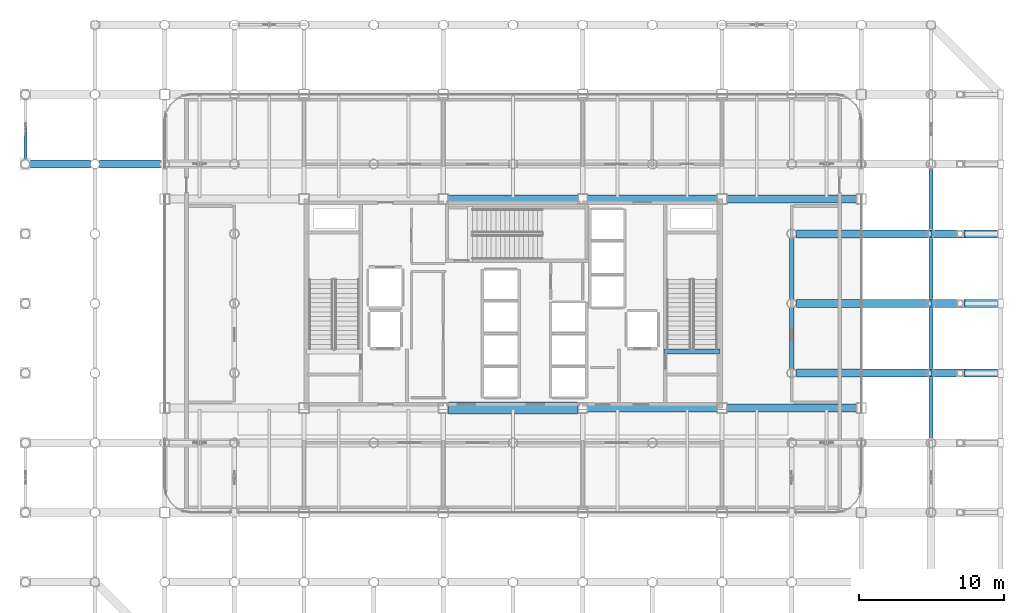
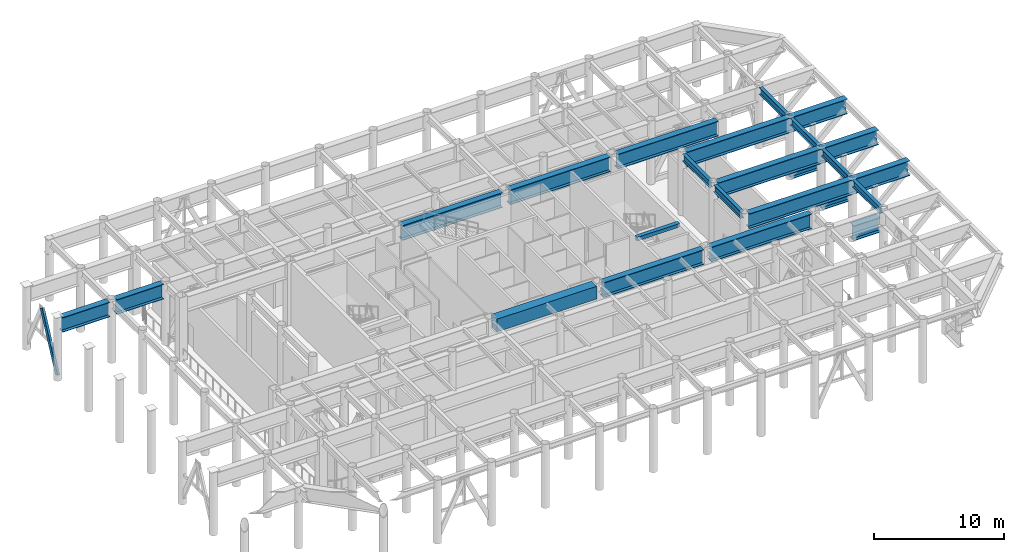
# One storey, part 8 of 20: 21 beams, 1 member.
"""IFC4 building model written with IfcOpenShell, lengths in metres."""

from ifc_helpers import new_model, si_unit, direction, frame, origin, origin_2d, place, context, subcontext, project, spatial, rectangle, hollow_rectangle, i_section, extrude, material, material_profile, profile_set, type_object, element, save


model = new_model("IFC4")

# Units and contexts
model_context = context("Model", 3, precision=1e-05, world=origin(), true_north=direction((0.0, 1.0)))
body_context = subcontext(model_context, "Body", "Model", "MODEL_VIEW")
ifc_project = project(units=[si_unit("LENGTHUNIT", "METRE"), si_unit("AREAUNIT", "SQUARE_METRE"), si_unit("VOLUMEUNIT", "CUBIC_METRE"), si_unit("PLANEANGLEUNIT", "RADIAN"), si_unit("MASSUNIT", "GRAM", prefix="KILO")], contexts=[model_context])

# Site, building, storey
site_placement = place(None, origin())
site = spatial("IfcSite", under=ifc_project, at=site_placement, CompositionType="ELEMENT")
building_placement = place(site_placement, origin())
building = spatial("IfcBuilding", under=site, at=building_placement, Name="Kallvorn Hotel Tower", CompositionType="ELEMENT")
storey_placement = place(building_placement, frame((0.0, 0.0, 185.5)))
storey = spatial("IfcBuildingStorey", under=building, at=storey_placement, Name="L46", CompositionType="ELEMENT", Elevation=185.5)

# Beams
ifc_material_1 = material(Name="Structural steel S355JR", Category="steel")
ifc_material_profile_1 = material_profile(ifc_material_1, i_section(OverallWidth=0.300048828125, OverallDepth=0.64990234375, WebThickness=0.01611328125, FlangeThickness=0.031005859375, at=origin_2d()), Name="HE 650 B")
ifc_profile_set_1 = profile_set([ifc_material_profile_1], Name="Structural steel S355JR")
beam_type_1 = type_object("IfcBeamType", Name="BM_HE650B", PredefinedType="BEAM", material=ifc_profile_set_1)
for number, where, z_axis, x_axis, name in (
    (1, (19.199951171875, -4.4951171875, 5.4951171875), (0.0, 1.0, 0.0), (-1.0, 0.0, 0.0), "L47 Primary Y-Girder 140"),
    (2, (19.199951171875, 0.304931640625, 5.4951171875), (0.0, 1.0, 0.0), (-1.0, 0.0, 0.0), "L47 Primary Y-Girder 141"),
):
    element("IfcBeam", number, at=place(storey_placement, frame(where, z_axis=z_axis, x_axis=x_axis)), inside=storey, type_object=beam_type_1, Name=name, PredefinedType="BEAM", context=body_context, shape_type="SweptSolid", body=[
        extrude(i_section(OverallWidth=0.300048828125, OverallDepth=0.64990234375, WebThickness=0.01611328125, FlangeThickness=0.031005859375, at=origin_2d()), origin(), (0.0, 0.0, 1.0), 4.190185546875),
    ])
beam_1_placement = place(storey_placement, frame((28.800048828125, -9.294921875, 5.4951171875), z_axis=(0.0, 1.0, 0.0), x_axis=(-1.0, 0.0, 0.0)))
element("IfcBeam", 3, at=beam_1_placement, inside=storey, type_object=beam_type_1, Name="L47 Primary Y-Girder 154", PredefinedType="BEAM", context=body_context, shape_type="SweptSolid", body=[
    extrude(i_section(OverallWidth=0.300048828125, OverallDepth=0.64990234375, WebThickness=0.01611328125, FlangeThickness=0.031005859375, at=origin_2d()), origin(), (0.0, 0.0, 1.0), 4.18994140625),
])
for number, where, z_axis, x_axis, name in (
    (4, (28.800048828125, -4.4951171875, 5.4951171875), (0.0, 1.0, 0.0), (-1.0, 0.0, 0.0), "L47 Primary Y-Girder 155"),
    (5, (28.800048828125, 0.304931640625, 5.4951171875), (0.0, 1.0, 0.0), (-1.0, 0.0, 0.0), "L47 Primary Y-Girder 156"),
):
    element("IfcBeam", number, at=place(storey_placement, frame(where, z_axis=z_axis, x_axis=x_axis)), inside=storey, type_object=beam_type_1, Name=name, PredefinedType="BEAM", context=body_context, shape_type="SweptSolid", body=[
        extrude(i_section(OverallWidth=0.300048828125, OverallDepth=0.64990234375, WebThickness=0.01611328125, FlangeThickness=0.031005859375, at=origin_2d()), origin(), (0.0, 0.0, 1.0), 4.190185546875),
    ])
beam_2_placement = place(storey_placement, frame((28.800048828125, 5.10498046875, 5.4951171875), z_axis=(0.0, 1.0, 0.0), x_axis=(-1.0, 0.0, 0.0)))
element("IfcBeam", 6, at=beam_2_placement, inside=storey, type_object=beam_type_1, Name="L47 Primary Y-Girder 157", PredefinedType="BEAM", context=body_context, shape_type="SweptSolid", body=[
    extrude(i_section(OverallWidth=0.300048828125, OverallDepth=0.64990234375, WebThickness=0.01611328125, FlangeThickness=0.031005859375, at=origin_2d()), origin(), (0.0, 0.0, 1.0), 4.18994140625),
])
ifc_material_2 = material(Name="Structural steel S355JR", Category="steel")
ifc_material_profile_2 = material_profile(ifc_material_2, i_section(OverallWidth=0.550048828125, OverallDepth=1.39990234375, WebThickness=0.02490234375, FlangeThickness=0.044921875, at=origin_2d()), Name="PG 1400x550x25x45")
ifc_profile_set_2 = profile_set([ifc_material_profile_2], Name="Structural steel S355JR")
beam_type_2 = type_object("IfcBeamType", Name="BM_PG_1400", PredefinedType="BEAM", material=ifc_profile_set_2)
beam_3_placement = place(storey_placement, frame((19.52001953125, -4.800048828125, 5.1201171875), z_axis=(1.0, 0.0, 0.0), x_axis=(0.0, 1.0, 0.0)))
element("IfcBeam", 7, at=beam_3_placement, inside=storey, type_object=beam_type_2, Name="L47 Continuous Cantilever Transfer Girder 05", PredefinedType="BEAM", context=body_context, shape_type="SweptSolid", body=[
    extrude(i_section(OverallWidth=0.550048828125, OverallDepth=1.39990234375, WebThickness=0.02490234375, FlangeThickness=0.044921875, at=origin_2d()), origin(), (0.0, 0.0, 1.0), 14.260009765625),
])
beam_4_placement = place(storey_placement, frame((28.800048828125, -4.800048828125, 0.719970703125), z_axis=(1.0, 0.0, 0.0), x_axis=(0.0, 1.0, 0.0)))
element("IfcBeam", 8, at=beam_4_placement, inside=storey, type_object=beam_type_2, Name="L47 Cantilever Haunch Corbel 05", PredefinedType="BEAM", context=body_context, shape_type="SweptSolid", body=[
    extrude(i_section(OverallWidth=0.550048828125, OverallDepth=1.39990234375, WebThickness=0.02490234375, FlangeThickness=0.044921875, at=origin_2d()), origin(), (0.0, 0.0, 1.0), 2.349853515625),
])
beam_5_placement = place(storey_placement, frame((19.52001953125, 0.0, 5.1201171875), z_axis=(1.0, 0.0, 0.0), x_axis=(0.0, 1.0, 0.0)))
element("IfcBeam", 9, at=beam_5_placement, inside=storey, type_object=beam_type_2, Name="L47 Continuous Cantilever Transfer Girder 06", PredefinedType="BEAM", context=body_context, shape_type="SweptSolid", body=[
    extrude(i_section(OverallWidth=0.550048828125, OverallDepth=1.39990234375, WebThickness=0.02490234375, FlangeThickness=0.044921875, at=origin_2d()), origin(), (0.0, 0.0, 1.0), 14.260009765625),
])
beam_6_placement = place(storey_placement, frame((28.800048828125, 0.0, 0.719970703125), z_axis=(1.0, 0.0, 0.0), x_axis=(0.0, 1.0, 0.0)))
element("IfcBeam", 10, at=beam_6_placement, inside=storey, type_object=beam_type_2, Name="L47 Cantilever Haunch Corbel 06", PredefinedType="BEAM", context=body_context, shape_type="SweptSolid", body=[
    extrude(i_section(OverallWidth=0.550048828125, OverallDepth=1.39990234375, WebThickness=0.02490234375, FlangeThickness=0.044921875, at=origin_2d()), origin(), (0.0, 0.0, 1.0), 2.349853515625),
])
beam_7_placement = place(storey_placement, frame((19.52001953125, 4.800048828125, 5.1201171875), z_axis=(1.0, 0.0, 0.0), x_axis=(0.0, 1.0, 0.0)))
element("IfcBeam", 11, at=beam_7_placement, inside=storey, type_object=beam_type_2, Name="L47 Continuous Cantilever Transfer Girder 07", PredefinedType="BEAM", context=body_context, shape_type="SweptSolid", body=[
    extrude(i_section(OverallWidth=0.550048828125, OverallDepth=1.39990234375, WebThickness=0.02490234375, FlangeThickness=0.044921875, at=origin_2d()), origin(), (0.0, 0.0, 1.0), 14.260009765625),
])
beam_8_placement = place(storey_placement, frame((28.800048828125, 4.800048828125, 0.719970703125), z_axis=(1.0, 0.0, 0.0), x_axis=(0.0, 1.0, 0.0)))
element("IfcBeam", 12, at=beam_8_placement, inside=storey, type_object=beam_type_2, Name="L47 Cantilever Haunch Corbel 07", PredefinedType="BEAM", context=body_context, shape_type="SweptSolid", body=[
    extrude(i_section(OverallWidth=0.550048828125, OverallDepth=1.39990234375, WebThickness=0.02490234375, FlangeThickness=0.044921875, at=origin_2d()), origin(), (0.0, 0.0, 1.0), 2.349853515625),
])
for number, where, z_axis, x_axis, name in (
    (13, (5.125, -7.199951171875, 5.1201171875), (1.0, 0.0, 0.0), (0.0, 1.0, 0.0), "L47 Primary X-Girder 44"),
    (14, (14.72509765625, -7.199951171875, 5.1201171875), (1.0, 0.0, 0.0), (0.0, 1.0, 0.0), "L47 Primary X-Girder 45"),
):
    element("IfcBeam", number, at=place(storey_placement, frame(where, z_axis=z_axis, x_axis=x_axis)), inside=storey, type_object=beam_type_2, Name=name, PredefinedType="BEAM", context=body_context, shape_type="SweptSolid", body=[
        extrude(i_section(OverallWidth=0.550048828125, OverallDepth=1.39990234375, WebThickness=0.02490234375, FlangeThickness=0.044921875, at=origin_2d()), origin(), (0.0, 0.0, 1.0), 8.949951171875),
    ])
beam_9_placement = place(storey_placement, frame((-4.47509765625, 7.199951171875, 5.1201171875), z_axis=(1.0, 0.0, 0.0), x_axis=(0.0, 1.0, 0.0)))
element("IfcBeam", 15, at=beam_9_placement, inside=storey, type_object=beam_type_2, Name="L47 Primary X-Girder 48", PredefinedType="BEAM", context=body_context, shape_type="SweptSolid", body=[
    extrude(i_section(OverallWidth=0.550048828125, OverallDepth=1.39990234375, WebThickness=0.02490234375, FlangeThickness=0.044921875, at=origin_2d()), origin(), (0.0, 0.0, 1.0), 8.9501953125),
])
for number, where, z_axis, x_axis, name in (
    (16, (5.125, 7.199951171875, 5.1201171875), (1.0, 0.0, 0.0), (0.0, 1.0, 0.0), "L47 Primary X-Girder 49"),
    (17, (14.72509765625, 7.199951171875, 5.1201171875), (1.0, 0.0, 0.0), (0.0, 1.0, 0.0), "L47 Primary X-Girder 50"),
):
    element("IfcBeam", number, at=place(storey_placement, frame(where, z_axis=z_axis, x_axis=x_axis)), inside=storey, type_object=beam_type_2, Name=name, PredefinedType="BEAM", context=body_context, shape_type="SweptSolid", body=[
        extrude(i_section(OverallWidth=0.550048828125, OverallDepth=1.39990234375, WebThickness=0.02490234375, FlangeThickness=0.044921875, at=origin_2d()), origin(), (0.0, 0.0, 1.0), 8.949951171875),
    ])
beam_10_placement = place(storey_placement, frame((-33.294921875, 9.60009765625, 5.1201171875), z_axis=(1.0, 0.0, 0.0), x_axis=(0.0, 1.0, 0.0)))
element("IfcBeam", 18, at=beam_10_placement, inside=storey, type_object=beam_type_2, Name="L47 Primary X-Girder 51", PredefinedType="BEAM", context=body_context, shape_type="SweptSolid", body=[
    extrude(i_section(OverallWidth=0.550048828125, OverallDepth=1.39990234375, WebThickness=0.02490234375, FlangeThickness=0.044921875, at=origin_2d()), origin(), (0.0, 0.0, 1.0), 4.18994140625),
])
beam_11_placement = place(storey_placement, frame((-28.4951171875, 9.60009765625, 5.1201171875), z_axis=(1.0, 0.0, 0.0), x_axis=(0.0, 1.0, 0.0)))
element("IfcBeam", 19, at=beam_11_placement, inside=storey, type_object=beam_type_2, Name="L47 Primary X-Girder 52", PredefinedType="BEAM", context=body_context, shape_type="SweptSolid", body=[
    extrude(i_section(OverallWidth=0.550048828125, OverallDepth=1.39990234375, WebThickness=0.02490234375, FlangeThickness=0.044921875, at=origin_2d()), origin(), (0.0, 0.0, 1.0), 4.190185546875),
])
ifc_material_3 = material(Name="Concrete C50/60", Category="concrete")
ifc_material_profile_3 = material_profile(ifc_material_3, rectangle(XDim=0.360107421875, YDim=0.340087890625, at=origin_2d()), Name="RC 360x340")
ifc_profile_set_3 = profile_set([ifc_material_profile_3], Name="Concrete C50/60")
beam_type_3 = type_object("IfcBeamType", Name="BM_RC_400x360", PredefinedType="BEAM", material=ifc_profile_set_3)
beam_12_placement = place(storey_placement, frame((14.239990234375, -3.31005859375, 5.64990234375), z_axis=(-1.0, 0.0, 0.0), x_axis=(0.0, -1.0, 0.0)))
element("IfcBeam", 20, at=beam_12_placement, inside=storey, type_object=beam_type_3, Name="L47 Stair ST2 Arrival Trimmer Beam", PredefinedType="BEAM", context=body_context, shape_type="SweptSolid", body=[
    extrude(rectangle(XDim=0.360107421875, YDim=0.340087890625, at=origin_2d()), origin(), (0.0, 0.0, 1.0), 3.820068359375),
])
ifc_material_4 = material(Name="Concrete C50/60", Category="concrete")
ifc_material_profile_4 = material_profile(ifc_material_4, rectangle(XDim=0.800048828125, YDim=1.199951171875, at=origin_2d()), Name="RC 800x1200")
ifc_profile_set_4 = profile_set([ifc_material_profile_4], Name="Concrete C50/60")
beam_type_4 = type_object("IfcBeamType", Name="BM_RC_800x1200", PredefinedType="T_BEAM", material=ifc_profile_set_4)
beam_13_placement = place(storey_placement, frame((-4.449951171875, -7.199951171875, 5.219970703125), z_axis=(1.0, 0.0, 0.0), x_axis=(0.0, 1.0, 0.0)))
element("IfcBeam", 21, at=beam_13_placement, inside=storey, type_object=beam_type_4, Name="L46 Core Coupling Beam South", PredefinedType="T_BEAM", context=body_context, shape_type="SweptSolid", body=[
    extrude(rectangle(XDim=0.800048828125, YDim=1.199951171875, at=origin_2d()), origin(), (0.0, 0.0, 1.0), 8.89990234375),
])

# Member
ifc_material_5 = material(Name="Structural steel S355J2H", Category="steel")
ifc_material_profile_5 = material_profile(ifc_material_5, hollow_rectangle(XDim=0.199951171875, YDim=0.39990234375, WallThickness=0.02001953125, at=origin_2d()), Name="RHS 400x200x20")
ifc_profile_set_5 = profile_set([ifc_material_profile_5], Name="Structural steel S355J2H")
member_type = type_object("IfcMemberType", Name="MBR_BELT_RHS400", PredefinedType="BRACE", material=ifc_profile_set_5)
member_placement = place(storey_placement, frame((-33.60009765625, 9.60888671875, 0.367919921875), z_axis=(0.0, 0.439131031257, 0.898423028081), x_axis=(-1.0, 0.0, 0.0)))
element("IfcMember", 22, at=member_placement, inside=storey, type_object=member_type, Name="L46 Belt Truss Diagonal 6A", PredefinedType="BRACE", context=body_context, shape_type="SweptSolid", body=[
    extrude(hollow_rectangle(XDim=0.199951171875, YDim=0.39990234375, WallThickness=0.02001953125, at=origin_2d()), origin(), (0.0, 0.0, 1.0), 5.425048828125),
])

save(model, "model.ifc")
